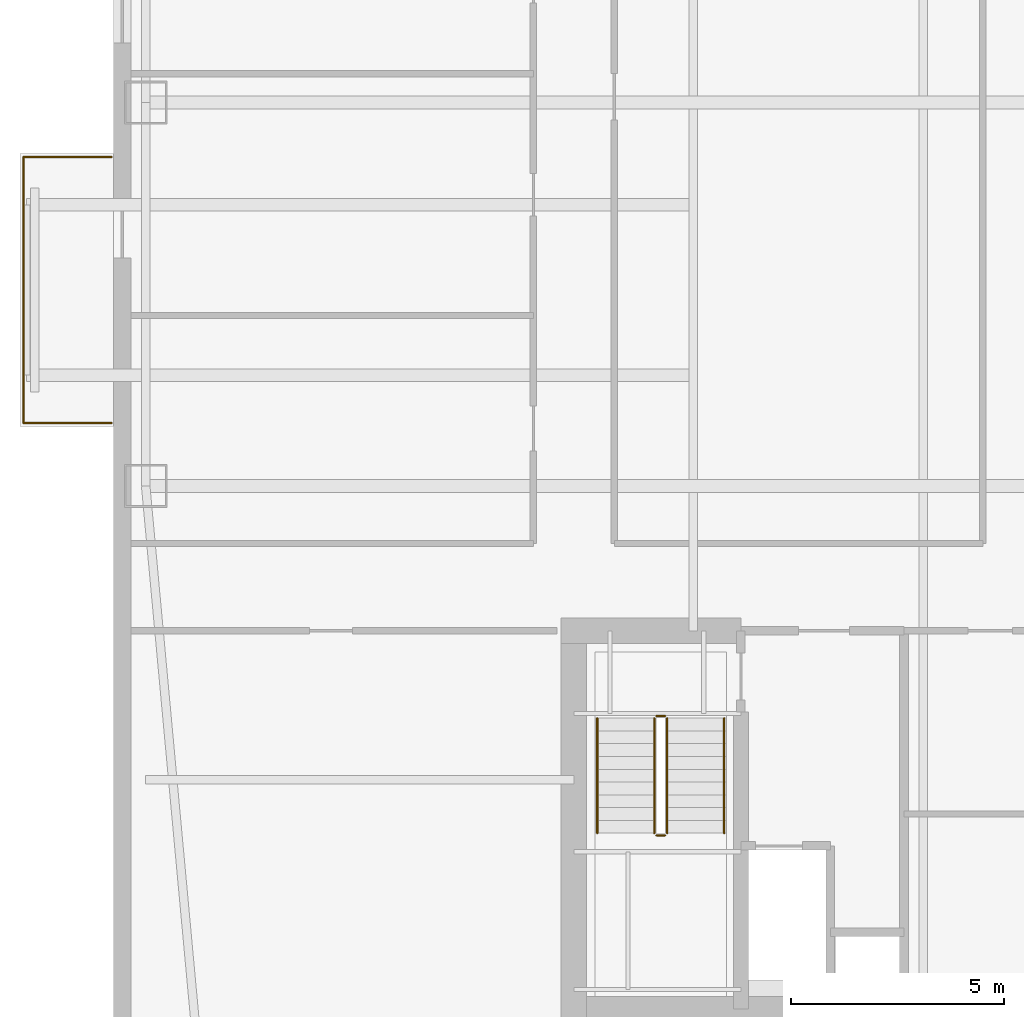
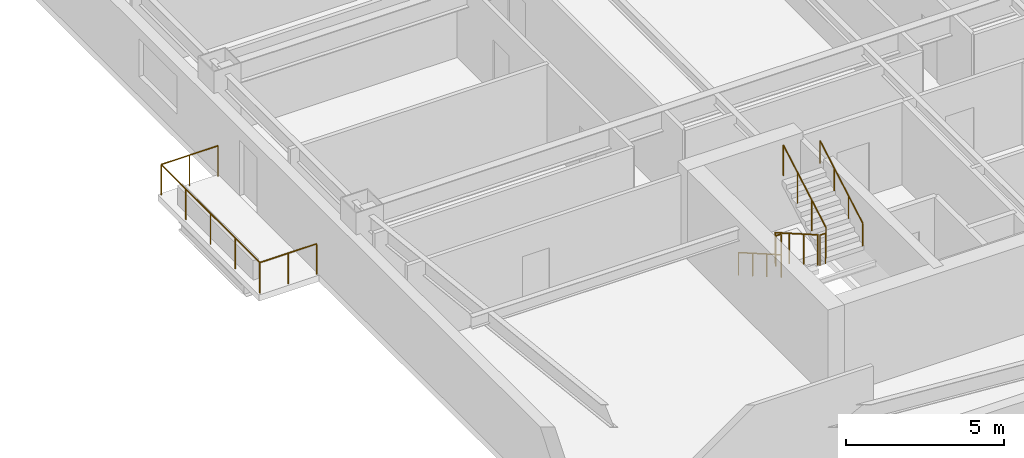
# One storey, part 11 of 14: 7 railings.
"""IFC4 building model written with IfcOpenShell, lengths in metres."""

from ifc_helpers import new_model, si_unit, direction, frame, origin, origin_2d, place, context, subcontext, project, spatial, circle, extrude, material, type_object, element, save


model = new_model("IFC4")

# Units and contexts
model_context = context("Model", 3, precision=1e-05, world=origin(), true_north=direction((0.0, 1.0)))
body_context = subcontext(model_context, "Body", "Model", "MODEL_VIEW")
ifc_project = project(units=[si_unit("LENGTHUNIT", "METRE"), si_unit("AREAUNIT", "SQUARE_METRE"), si_unit("VOLUMEUNIT", "CUBIC_METRE"), si_unit("PLANEANGLEUNIT", "RADIAN"), si_unit("MASSUNIT", "GRAM", prefix="KILO")], contexts=[model_context])

# Site, building, storey
site_placement = place(None, origin())
site = spatial("IfcSite", under=ifc_project, at=site_placement, CompositionType="ELEMENT")
building_placement = place(site_placement, origin())
building = spatial("IfcBuilding", under=site, at=building_placement, Name="Qiaolan Cultural Towers", CompositionType="ELEMENT")
storey_placement = place(building_placement, frame((0.0, 0.0, 103.5)))
storey = spatial("IfcBuildingStorey", under=building, at=storey_placement, Name="L26", CompositionType="ELEMENT", Elevation=103.5)

# Railings
ifc_material_1 = material(Name="Laminated SentryGlas & Stainless Steel S31608 Balustrade", Category="steel")
railing_type_1 = type_object("IfcRailingType", Name="GRD-TERR-1200", PredefinedType="BALUSTRADE", material=ifc_material_1)
railing_1_placement = place(storey_placement, frame((10.949951171875, 26.47998046875, 0.0)))
element("IfcRailing", 1, at=railing_1_placement, inside=storey, type_object=railing_type_1, Name="L26 T1 Tree Balcony Guardrail W", PredefinedType="BALUSTRADE", context=body_context, shape_type="SweptSolid", body=[
    extrude(circle(Radius=0.02392578125, at=origin_2d()), frame((0.0, 0.0, 1.17578125), z_axis=(-1.0, 0.0, 0.0), x_axis=(0.0, -1.0, 0.0)), (0.0, 0.0, 1.0), 2.070068359375),
    extrude(circle(Radius=0.02392578125, at=origin_2d()), frame((-2.070068359375, 0.0, 1.17578125), z_axis=(0.0, 1.0, 0.0), x_axis=(-1.0, 0.0, 0.0)), (0.0, 0.0, 1.0), 6.239990234375),
    extrude(circle(Radius=0.02392578125, at=origin_2d()), frame((-2.070068359375, 6.239990234375, 1.17578125), z_axis=(1.0, 0.0, 0.0), x_axis=(0.0, 1.0, 0.0)), (0.0, 0.0, 1.0), 2.070068359375),
    extrude(circle(Radius=0.02099609375, at=origin_2d()), origin(), (0.0, 0.0, 1.0), 1.15185546875),
    extrude(circle(Radius=0.02099609375, at=origin_2d()), frame((-1.03515625, 0.0, 0.0)), (0.0, 0.0, 1.0), 1.15185546875),
    extrude(circle(Radius=0.02099609375, at=origin_2d()), frame((-2.070068359375, 0.0, 0.0)), (0.0, 0.0, 1.0), 1.15185546875),
    extrude(circle(Radius=0.02099609375, at=origin_2d()), frame((-2.070068359375, 1.56005859375, 0.0)), (0.0, 0.0, 1.0), 1.15185546875),
    extrude(circle(Radius=0.02099609375, at=origin_2d()), frame((-2.070068359375, 3.1201171875, 0.0)), (0.0, 0.0, 1.0), 1.15185546875),
    extrude(circle(Radius=0.02099609375, at=origin_2d()), frame((-2.070068359375, 4.679931640625, 0.0)), (0.0, 0.0, 1.0), 1.15185546875),
    extrude(circle(Radius=0.02099609375, at=origin_2d()), frame((-2.070068359375, 6.239990234375, 0.0)), (0.0, 0.0, 1.0), 1.15185546875),
    extrude(circle(Radius=0.02099609375, at=origin_2d()), frame((-1.03515625, 6.239990234375, 0.0)), (0.0, 0.0, 1.0), 1.15185546875),
    extrude(circle(Radius=0.02099609375, at=origin_2d()), frame((0.0, 6.239990234375, 0.0)), (0.0, 0.0, 1.0), 1.15185546875),
])
ifc_material_2 = material(Name="Galvanized Painted Steel Stair Guardrail", Category="steel")
railing_type_2 = type_object("IfcRailingType", Name="RL-STAIR-GRD", PredefinedType="GUARDRAIL", material=ifc_material_2)
railing_2_placement = place(storey_placement, frame((23.68994140625, 19.550048828125, 0.172607421875)))
element("IfcRailing", 2, at=railing_2_placement, inside=storey, type_object=railing_type_2, Name="L26 ST-W1 stair guard 1", PredefinedType="GUARDRAIL", context=body_context, shape_type="SweptSolid", body=[
    extrude(circle(Radius=0.02392578125, at=origin_2d()), frame((0.0, 0.0, 1.17578125), z_axis=(0.0, -0.866903762492, 0.498475542607), x_axis=(1.0, 0.0, 0.0)), (0.0, 0.0, 1.0), 3.114501953125),
    extrude(circle(Radius=0.02099609375, at=origin_2d()), origin(), (0.0, 0.0, 1.0), 1.15185546875),
    extrude(circle(Radius=0.02099609375, at=origin_2d()), frame((0.0, -0.89990234375, 0.517578125)), (0.0, 0.0, 1.0), 1.15185546875),
    extrude(circle(Radius=0.02099609375, at=origin_2d()), frame((0.0, -1.800048828125, 1.034912109375)), (0.0, 0.0, 1.0), 1.15185546875),
    extrude(circle(Radius=0.02099609375, at=origin_2d()), frame((0.0, -2.699951171875, 1.552490234375)), (0.0, 0.0, 1.0), 1.15185546875),
])
railing_3_placement = place(storey_placement, frame((23.739990234375, 16.800048828125, 1.72509765625)))
element("IfcRailing", 3, at=railing_3_placement, inside=storey, type_object=railing_type_2, Name="L26 ST-W1 stair guard 2", PredefinedType="GUARDRAIL", context=body_context, shape_type="SweptSolid", body=[
    extrude(circle(Radius=0.02392578125, at=origin_2d()), frame((0.0, 0.0, 1.17578125), z_axis=(1.0, 0.0, 0.0), x_axis=(0.0, 1.0, 0.0)), (0.0, 0.0, 1.0), 0.199951171875),
    extrude(circle(Radius=0.02099609375, at=origin_2d()), origin(), (0.0, 0.0, 1.0), 1.15185546875),
    extrude(circle(Radius=0.02099609375, at=origin_2d()), frame((0.199951171875, 0.0, 0.0)), (0.0, 0.0, 1.0), 1.15185546875),
])
railing_4_placement = place(storey_placement, frame((23.989990234375, 16.85009765625, 1.8974609375)))
element("IfcRailing", 4, at=railing_4_placement, inside=storey, type_object=railing_type_2, Name="L26 ST-W1 stair guard 3", PredefinedType="GUARDRAIL", context=body_context, shape_type="SweptSolid", body=[
    extrude(circle(Radius=0.02392578125, at=origin_2d()), frame((0.0, 0.0, 1.17578125), z_axis=(0.0, 0.866903762492, 0.498475542607), x_axis=(-1.0, 0.0, 0.0)), (0.0, 0.0, 1.0), 3.114501953125),
    extrude(circle(Radius=0.02099609375, at=origin_2d()), origin(), (0.0, 0.0, 1.0), 1.15185546875),
    extrude(circle(Radius=0.02099609375, at=origin_2d()), frame((0.0, 0.89990234375, 0.517578125)), (0.0, 0.0, 1.0), 1.15185546875),
    extrude(circle(Radius=0.02099609375, at=origin_2d()), frame((0.0, 1.800048828125, 1.034912109375)), (0.0, 0.0, 1.0), 1.15185546875),
    extrude(circle(Radius=0.02099609375, at=origin_2d()), frame((0.0, 2.699951171875, 1.552490234375)), (0.0, 0.0, 1.0), 1.15185546875),
])
railing_5_placement = place(storey_placement, frame((23.739990234375, 19.60009765625, 0.0)))
element("IfcRailing", 5, at=railing_5_placement, inside=storey, type_object=railing_type_2, Name="L26 ST-W1 stair guard 4", PredefinedType="GUARDRAIL", context=body_context, shape_type="SweptSolid", body=[
    extrude(circle(Radius=0.02392578125, at=origin_2d()), frame((0.0, 0.0, 1.17578125), z_axis=(1.0, 0.0, 0.0), x_axis=(0.0, 1.0, 0.0)), (0.0, 0.0, 1.0), 0.199951171875),
    extrude(circle(Radius=0.02099609375, at=origin_2d()), origin(), (0.0, 0.0, 1.0), 1.15185546875),
    extrude(circle(Radius=0.02099609375, at=origin_2d()), frame((0.199951171875, 0.0, 0.0)), (0.0, 0.0, 1.0), 1.15185546875),
])
ifc_material_3 = material(Name="Stainless Steel S30408 Tubular Handrail", Category="steel")
railing_type_3 = type_object("IfcRailingType", Name="RL-STAIR-HR", PredefinedType="HANDRAIL", material=ifc_material_3)
railing_6_placement = place(storey_placement, frame((22.35009765625, 19.550048828125, 0.172607421875)))
element("IfcRailing", 6, at=railing_6_placement, inside=storey, type_object=railing_type_3, Name="L26 ST-W1 stair handrail 1", PredefinedType="HANDRAIL", context=body_context, shape_type="SweptSolid", body=[
    extrude(circle(Radius=0.02392578125, at=origin_2d()), frame((0.0, 0.0, 0.8759765625), z_axis=(0.0, -0.866903762492, 0.498475542607), x_axis=(1.0, 0.0, 0.0)), (0.0, 0.0, 1.0), 3.114501953125),
    extrude(circle(Radius=0.02099609375, at=origin_2d()), origin(), (0.0, 0.0, 1.0), 0.851806640625),
    extrude(circle(Radius=0.02099609375, at=origin_2d()), frame((0.0, -0.89990234375, 0.517578125)), (0.0, 0.0, 1.0), 0.851806640625),
    extrude(circle(Radius=0.02099609375, at=origin_2d()), frame((0.0, -1.800048828125, 1.034912109375)), (0.0, 0.0, 1.0), 0.851806640625),
    extrude(circle(Radius=0.02099609375, at=origin_2d()), frame((0.0, -2.699951171875, 1.552490234375)), (0.0, 0.0, 1.0), 0.851806640625),
])
railing_7_placement = place(storey_placement, frame((25.330078125, 16.85009765625, 1.8974609375)))
element("IfcRailing", 7, at=railing_7_placement, inside=storey, type_object=railing_type_3, Name="L26 ST-W1 stair handrail 2", PredefinedType="HANDRAIL", context=body_context, shape_type="SweptSolid", body=[
    extrude(circle(Radius=0.02392578125, at=origin_2d()), frame((0.0, 0.0, 0.8759765625), z_axis=(0.0, 0.866903762492, 0.498475542607), x_axis=(-1.0, 0.0, 0.0)), (0.0, 0.0, 1.0), 3.114501953125),
    extrude(circle(Radius=0.02099609375, at=origin_2d()), origin(), (0.0, 0.0, 1.0), 0.851806640625),
    extrude(circle(Radius=0.02099609375, at=origin_2d()), frame((0.0, 0.89990234375, 0.517578125)), (0.0, 0.0, 1.0), 0.851806640625),
    extrude(circle(Radius=0.02099609375, at=origin_2d()), frame((0.0, 1.800048828125, 1.034912109375)), (0.0, 0.0, 1.0), 0.851806640625),
    extrude(circle(Radius=0.02099609375, at=origin_2d()), frame((0.0, 2.699951171875, 1.552490234375)), (0.0, 0.0, 1.0), 0.851806640625),
])

save(model, "model.ifc")
